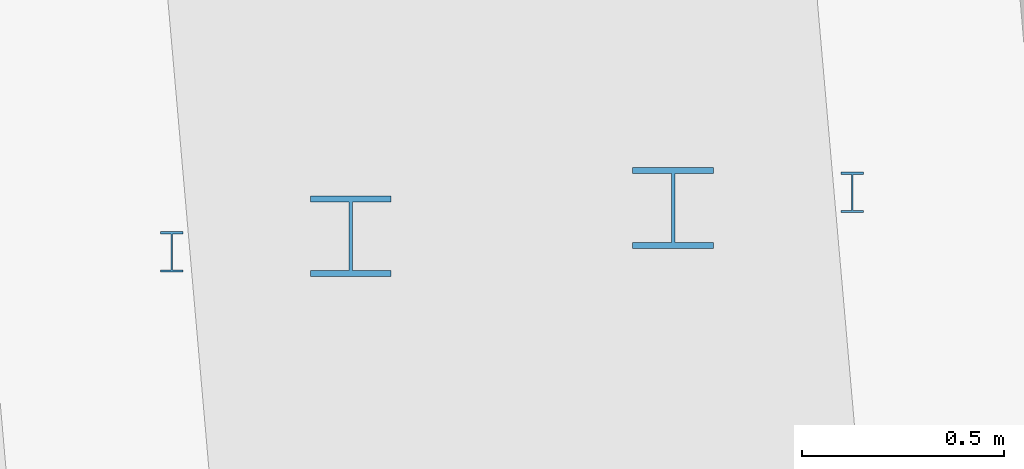
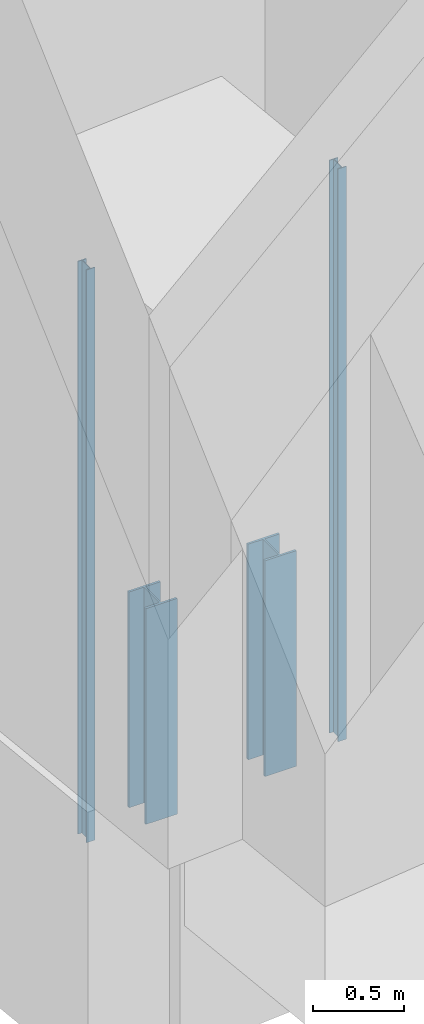
# One storey, part 16 of 65: 4 members.
"""IFC4 building model written with IfcOpenShell, lengths in metres."""

from ifc_helpers import new_model, si_unit, direction, frame, origin, origin_2d, place, context, subcontext, project, spatial, i_section, extrude, material, material_profile, profile_set, type_object, element, save


model = new_model("IFC4")

# Units and contexts
model_context = context("Model", 3, precision=1e-05, world=origin(), true_north=direction((0.0, 1.0)))
body_context = subcontext(model_context, "Body", "Model", "MODEL_VIEW")
ifc_project = project(units=[si_unit("LENGTHUNIT", "METRE"), si_unit("AREAUNIT", "SQUARE_METRE"), si_unit("VOLUMEUNIT", "CUBIC_METRE"), si_unit("PLANEANGLEUNIT", "RADIAN"), si_unit("MASSUNIT", "GRAM", prefix="KILO")], contexts=[model_context])

# Site, building, storey
site_placement = place(None, origin())
site = spatial("IfcSite", under=ifc_project, at=site_placement, CompositionType="ELEMENT")
building_placement = place(site_placement, origin())
building = spatial("IfcBuilding", under=site, at=building_placement, Name="Volute Hill Aquarium", CompositionType="ELEMENT")
storey_placement = place(building_placement, frame((0.0, 0.0, -5.5)))
storey = spatial("IfcBuildingStorey", under=building, at=storey_placement, Name="L00", CompositionType="ELEMENT", Elevation=-5.5)

# Members
ifc_material_1 = material(Name="Steel S355", Category="steel")
ifc_material_profile_1 = material_profile(ifc_material_1, i_section(OverallWidth=0.199951171875, OverallDepth=0.199951171875, WebThickness=0.009033203125, FlangeThickness=0.014892578125, at=origin_2d()), Name="HEB 200")
ifc_profile_set_1 = profile_set([ifc_material_profile_1], Name="Steel S355")
member_type_1 = type_object("IfcMemberType", Name="Lift buffer HEB 200", PredefinedType="POST", material=ifc_profile_set_1)
for number, where, z_axis, x_axis, name in (
    (1, (4.337890625, -36.962646484375, -1.39990234375), (0.0, 0.0, 1.0), (1.0, 0.0, 0.0), "LB-S3-A 1"),
    (2, (5.135009765625, -36.892822265625, -1.39990234375), (0.0, 0.0, 1.0), (1.0, 0.0, 0.0), "LB-S3-A 2"),
):
    element("IfcMember", number, at=place(storey_placement, frame(where, z_axis=z_axis, x_axis=x_axis)), inside=storey, type_object=member_type_1, Name=name, PredefinedType="POST", context=body_context, shape_type="SweptSolid", body=[
        extrude(i_section(OverallWidth=0.199951171875, OverallDepth=0.199951171875, WebThickness=0.009033203125, FlangeThickness=0.014892578125, at=origin_2d()), origin(), (0.0, 0.0, 1.0), 1.449951171875),
    ])
ifc_material_2 = material(Name="Steel S355", Category="steel")
ifc_material_profile_2 = material_profile(ifc_material_2, i_section(OverallWidth=0.054931640625, OverallDepth=0.10009765625, WebThickness=0.004150390625, FlangeThickness=0.005615234375, at=origin_2d()), Name="IPE 100")
ifc_profile_set_2 = profile_set([ifc_material_profile_2], Name="Steel S355")
member_type_2 = type_object("IfcMemberType", Name="Lift guide rail IPE 100", PredefinedType="POST", material=ifc_profile_set_2)
for number, where, z_axis, x_axis, name in (
    (3, (3.894775390625, -37.00146484375, -1.39990234375), (0.0, 0.0, 1.0), (1.0, 0.0, 0.0), "LR-S3-A 1"),
    (4, (5.578369140625, -36.85400390625, -1.39990234375), (0.0, 0.0, 1.0), (1.0, 0.0, 0.0), "LR-S3-A 2"),
):
    element("IfcMember", number, at=place(storey_placement, frame(where, z_axis=z_axis, x_axis=x_axis)), inside=storey, type_object=member_type_2, Name=name, PredefinedType="POST", context=body_context, shape_type="SweptSolid", body=[
        extrude(i_section(OverallWidth=0.054931640625, OverallDepth=0.10009765625, WebThickness=0.004150390625, FlangeThickness=0.005615234375, at=origin_2d()), origin(), (0.0, 0.0, 1.0), 3.849853515625),
    ])

save(model, "model.ifc")
